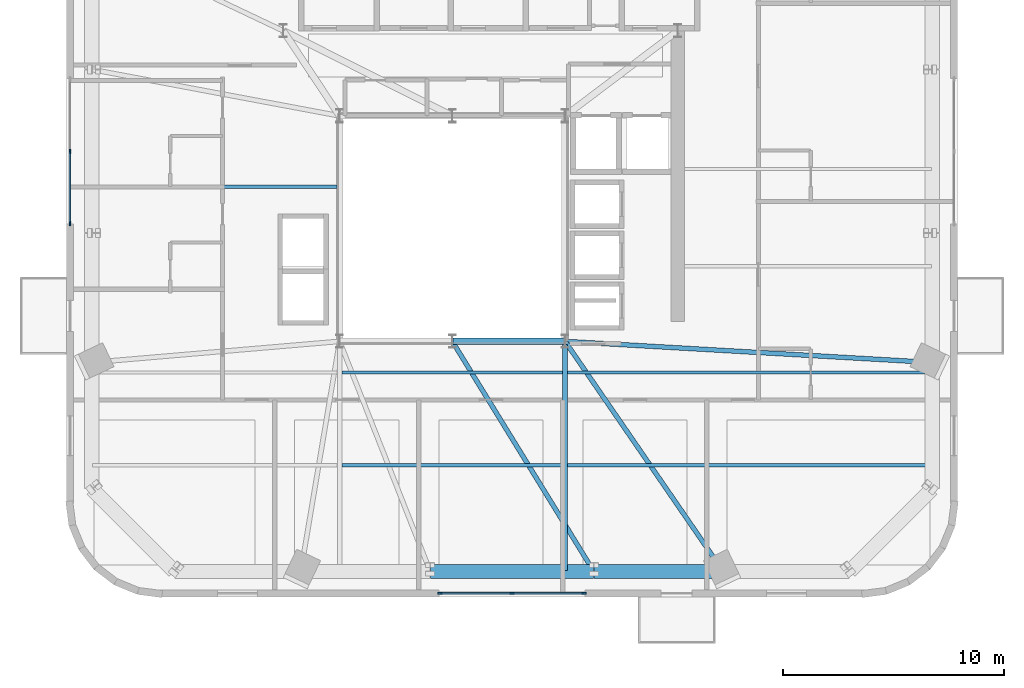
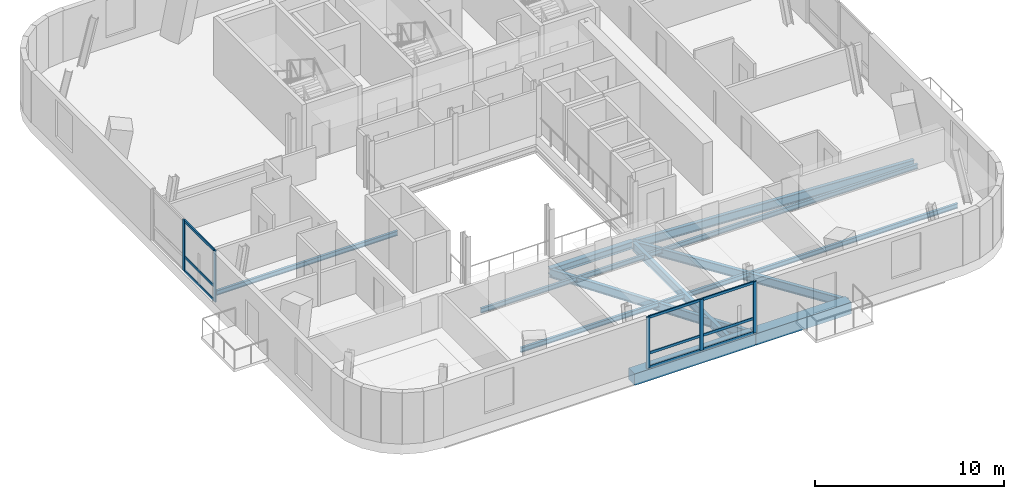
# One storey, part 2 of 13: 14 members, 12 beams, 2 elements without a shape of their own.
"""IFC4 building model written with IfcOpenShell, lengths in metres."""

from ifc_helpers import new_model, si_unit, direction, frame, origin, origin_2d, place, context, subcontext, project, spatial, rectangle, i_section, extrude, source, transform, mapped, material, material_profile, profile_set, type_object, element, aggregate, save


model = new_model("IFC4")

# Units and contexts
model_context = context("Model", 3, precision=1e-05, world=origin(), true_north=direction((0.0, 1.0)))
body_context = subcontext(model_context, "Body", "Model", "MODEL_VIEW")
ifc_project = project(units=[si_unit("LENGTHUNIT", "METRE"), si_unit("AREAUNIT", "SQUARE_METRE"), si_unit("VOLUMEUNIT", "CUBIC_METRE"), si_unit("PLANEANGLEUNIT", "RADIAN"), si_unit("MASSUNIT", "GRAM", prefix="KILO")], contexts=[model_context])

# Site, building, storey
site_placement = place(None, origin())
site = spatial("IfcSite", under=ifc_project, at=site_placement, CompositionType="ELEMENT")
building_placement = place(site_placement, origin())
building = spatial("IfcBuilding", under=site, at=building_placement, Name="Vardaveli Station Tower", CompositionType="ELEMENT")
storey_placement = place(building_placement, frame((0.0, 0.0, 278.25)))
storey = spatial("IfcBuildingStorey", under=building, at=storey_placement, Name="L71", CompositionType="ELEMENT", Elevation=278.25)

# Beams
ifc_material_1 = material(Name="Structural steel S355J2", Category="steel")
ifc_material_profile_1 = material_profile(ifc_material_1, i_section(OverallWidth=0.300048828125, OverallDepth=0.449951171875, WebThickness=0.013916015625, FlangeThickness=0.02587890625, FilletRadius=0.027099609375, at=origin_2d()), Name="HEB 450")
ifc_profile_set_1 = profile_set([ifc_material_profile_1], Name="Structural steel S355J2")
beam_type_1 = type_object("IfcBeamType", Name="BM-HEB450", PredefinedType="BEAM", material=ifc_profile_set_1)
shared_shape_1 = source(origin(), body_context, "Body", "SweptSolid", [
    extrude(i_section(OverallWidth=0.300048828125, OverallDepth=0.449951171875, WebThickness=0.013916015625, FlangeThickness=0.02587890625, FilletRadius=0.027099609375, at=origin_2d()), origin(), (0.0, 0.0, 1.0), 5.059814453125),
])
beam_1_placement = place(storey_placement, frame((36.320068359375, 16.60009765625, -0.875), z_axis=(1.0, 0.0, 0.0), x_axis=(0.0, 1.0, 0.0)))
element("IfcBeam", 1, at=beam_1_placement, inside=storey, type_object=beam_type_1, Name="ABM-L71-02", PredefinedType="BEAM", context=body_context, shape_type="MappedRepresentation", body=[
    mapped(shared_shape_1, transform((0.0, 0.0, 0.0), scale=1.0)),
])
ifc_material_2 = material(Name="Precast concrete C45/55", Category="concrete")
ifc_material_profile_2 = material_profile(ifc_material_2, rectangle(XDim=0.64990234375, YDim=0.75, at=origin_2d()), Name="LPB 650x750")
ifc_profile_set_2 = profile_set([ifc_material_profile_2], Name="Precast concrete C45/55")
beam_type_2 = type_object("IfcBeamType", Name="BM-LPB-750", PredefinedType="BEAM", material=ifc_profile_set_2)
shared_shape_2 = source(origin(), body_context, "Body", "SweptSolid", [
    extrude(rectangle(XDim=0.64990234375, YDim=0.75, at=origin_2d()), origin(), (0.0, 0.0, 1.0), 7.35986328125),
])
beam_2_placement = place(storey_placement, frame((35.320068359375, 6.18994140625, -1.02490234375), z_axis=(1.0, 0.0, 0.0), x_axis=(0.0, 1.0, 0.0)))
element("IfcBeam", 2, at=beam_2_placement, inside=storey, type_object=beam_type_2, Name="RBM-L71-02", PredefinedType="BEAM", context=body_context, shape_type="MappedRepresentation", body=[
    mapped(shared_shape_2, transform((0.0, 0.0, 0.0), scale=1.0)),
])
ifc_material_profile_3 = material_profile(ifc_material_1, i_section(OverallWidth=0.14990234375, OverallDepth=0.300048828125, WebThickness=0.007080078125, FlangeThickness=0.0107421875, FilletRadius=0.014892578125, at=origin_2d()), Name="IPE 300")
ifc_profile_set_3 = profile_set([ifc_material_profile_3], Name="Structural steel S355J2")
beam_type_3 = type_object("IfcBeamType", Name="BM-IPE300", PredefinedType="JOIST", material=ifc_profile_set_3)
shared_shape_3 = source(origin(), body_context, "Body", "SweptSolid", [
    extrude(i_section(OverallWidth=0.14990234375, OverallDepth=0.300048828125, WebThickness=0.007080078125, FlangeThickness=0.0107421875, FilletRadius=0.014892578125, at=origin_2d()), origin(), (0.0, 0.0, 1.0), 9.97607421875),
])
for number, where, z_axis, x_axis, name in (
    (3, (31.31201171875, 10.989990234375, -0.800048828125), (1.0, 0.0, 0.0), (0.0, 1.0, 0.0), "SJ-L71-S02"),
    (4, (31.31201171875, 15.18994140625, -0.800048828125), (1.0, 0.0, 0.0), (0.0, 1.0, 0.0), "SJ-L71-S05"),
):
    element("IfcBeam", number, at=place(storey_placement, frame(where, z_axis=z_axis, x_axis=x_axis)), inside=storey, type_object=beam_type_3, Name=name, PredefinedType="JOIST", context=body_context, shape_type="MappedRepresentation", body=[
        mapped(shared_shape_3, transform((0.0, 0.0, 0.0), scale=1.0)),
    ])
shared_shape_4 = source(origin(), body_context, "Body", "SweptSolid", [
    extrude(rectangle(XDim=0.64990234375, YDim=0.75, at=origin_2d()), origin(), (0.0, 0.0, 1.0), 5.815673828125),
])
beam_3_placement = place(storey_placement, frame((42.719970703125, 6.18994140625, -1.02490234375), z_axis=(1.0, 0.0, 0.0), x_axis=(0.0, 1.0, 0.0)))
element("IfcBeam", 5, at=beam_3_placement, inside=storey, type_object=beam_type_2, Name="RBM-L71-03", PredefinedType="BEAM", context=body_context, shape_type="MappedRepresentation", body=[
    mapped(shared_shape_4, transform((0.0, 0.0, 0.0), scale=1.0)),
])
ifc_material_profile_4 = material_profile(ifc_material_1, i_section(OverallWidth=0.2099609375, OverallDepth=0.550048828125, WebThickness=0.010986328125, FlangeThickness=0.01708984375, FilletRadius=0.02392578125, at=origin_2d()), Name="IPE 550")
ifc_profile_set_4 = profile_set([ifc_material_profile_4], Name="Structural steel S355J2")
beam_type_4 = type_object("IfcBeamType", Name="BM-IPE550", PredefinedType="BEAM", material=ifc_profile_set_4)
shared_shape_5 = source(origin(), body_context, "Body", "SweptSolid", [
    extrude(i_section(OverallWidth=0.2099609375, OverallDepth=0.550048828125, WebThickness=0.010986328125, FlangeThickness=0.01708984375, FilletRadius=0.02392578125, at=origin_2d()), origin(), (0.0, 0.0, 1.0), 12.179931640625),
])
beam_4_placement = place(storey_placement, frame((42.689453125, 6.20703125, -0.925048828125), z_axis=(-0.523721605578, 0.851889476312, 0.0), x_axis=(-0.851889476312, -0.523721605578, 0.0)))
element("IfcBeam", 6, at=beam_4_placement, inside=storey, type_object=beam_type_4, Name="GBM-L71-03", PredefinedType="BEAM", context=body_context, shape_type="MappedRepresentation", body=[
    mapped(shared_shape_5, transform((0.0, 0.0, 0.0), scale=1.0)),
])
shared_shape_6 = source(origin(), body_context, "Body", "SweptSolid", [
    extrude(i_section(OverallWidth=0.2099609375, OverallDepth=0.550048828125, WebThickness=0.010986328125, FlangeThickness=0.01708984375, FilletRadius=0.02392578125, at=origin_2d()), origin(), (0.0, 0.0, 1.0), 12.592041015625),
])
beam_5_placement = place(storey_placement, frame((48.544189453125, 6.20654296875, -0.925048828125), z_axis=(-0.566456409283, 0.824091703867, 0.0), x_axis=(-0.824091703867, -0.566456409283, 0.0)))
element("IfcBeam", 7, at=beam_5_placement, inside=storey, type_object=beam_type_4, Name="GBM-L71-04", PredefinedType="BEAM", context=body_context, shape_type="MappedRepresentation", body=[
    mapped(shared_shape_6, transform((0.0, 0.0, 0.0), scale=1.0)),
])
shared_shape_7 = source(origin(), body_context, "Body", "SweptSolid", [
    extrude(i_section(OverallWidth=0.2099609375, OverallDepth=0.550048828125, WebThickness=0.010986328125, FlangeThickness=0.01708984375, FilletRadius=0.02392578125, at=origin_2d()), origin(), (0.0, 0.0, 1.0), 16.597412109375),
])
beam_6_placement = place(storey_placement, frame((57.989990234375, 15.6455078125, -0.925048828125), z_axis=(-0.998348924367, 0.057440623383, 0.0), x_axis=(-0.057440623383, -0.998348924367, 0.0)))
element("IfcBeam", 8, at=beam_6_placement, inside=storey, type_object=beam_type_4, Name="GBM-L71-05", PredefinedType="BEAM", context=body_context, shape_type="MappedRepresentation", body=[
    mapped(shared_shape_7, transform((0.0, 0.0, 0.0), scale=1.0)),
])
shared_shape_8 = source(origin(), body_context, "Body", "SweptSolid", [
    extrude(i_section(OverallWidth=0.2099609375, OverallDepth=0.550048828125, WebThickness=0.010986328125, FlangeThickness=0.01708984375, FilletRadius=0.02392578125, at=origin_2d()), origin(), (0.0, 0.0, 1.0), 10.22998046875),
])
beam_7_placement = place(storey_placement, frame((41.39990234375, 6.22998046875, -0.925048828125), z_axis=(0.0, 1.0, 0.0), x_axis=(-1.0, 0.0, 0.0)))
element("IfcBeam", 9, at=beam_7_placement, inside=storey, type_object=beam_type_4, Name="NSM-L71-S2", PredefinedType="BEAM", context=body_context, shape_type="MappedRepresentation", body=[
    mapped(shared_shape_8, transform((0.0, 0.0, 0.0), scale=1.0)),
])
shared_shape_9 = source(origin(), body_context, "Body", "SweptSolid", [
    extrude(i_section(OverallWidth=0.14990234375, OverallDepth=0.300048828125, WebThickness=0.007080078125, FlangeThickness=0.0107421875, FilletRadius=0.014892578125, at=origin_2d()), origin(), (0.0, 0.0, 1.0), 11.057861328125),
])
beam_8_placement = place(storey_placement, frame((20.030029296875, 23.60009765625, -0.800048828125), z_axis=(1.0, 0.0, 0.0), x_axis=(0.0, 1.0, 0.0)))
element("IfcBeam", 10, at=beam_8_placement, inside=storey, type_object=beam_type_3, Name="SJ-L71-W08", PredefinedType="JOIST", context=body_context, shape_type="MappedRepresentation", body=[
    mapped(shared_shape_9, transform((0.0, 0.0, 0.0), scale=1.0)),
])
shared_shape_10 = source(origin(), body_context, "Body", "SweptSolid", [
    extrude(i_section(OverallWidth=0.14990234375, OverallDepth=0.300048828125, WebThickness=0.007080078125, FlangeThickness=0.0107421875, FilletRadius=0.014892578125, at=origin_2d()), origin(), (0.0, 0.0, 1.0), 16.4580078125),
])
for number, where, z_axis, x_axis, name in (
    (11, (41.511962890625, 10.989990234375, -0.800048828125), (1.0, 0.0, 0.0), (0.0, 1.0, 0.0), "SJ-L71-S03"),
    (12, (41.511962890625, 15.18994140625, -0.800048828125), (1.0, 0.0, 0.0), (0.0, 1.0, 0.0), "SJ-L71-S06"),
):
    element("IfcBeam", number, at=place(storey_placement, frame(where, z_axis=z_axis, x_axis=x_axis)), inside=storey, type_object=beam_type_3, Name=name, PredefinedType="JOIST", context=body_context, shape_type="MappedRepresentation", body=[
        mapped(shared_shape_10, transform((0.0, 0.0, 0.0), scale=1.0)),
    ])

# Curtain wall, members
ifc_material_3 = material(Name="Travertine stone and solar-control glass", Category="masonry")
curtain_wall_type = type_object("IfcCurtainWallType", Name="CW-SYS-5", PredefinedType="NOTDEFINED", material=ifc_material_3)
curtain_wall_1_placement = place(storey_placement, origin())
curtain_wall_1 = element("IfcCurtainWall", 13, at=curtain_wall_1_placement, inside=storey, type_object=curtain_wall_type, Name="CW-L71-S", PredefinedType="NOTDEFINED")
ifc_material_4 = material(Name="Anodised aluminium alloy 6063-T6", Category="aluminium")
ifc_material_profile_5 = material_profile(ifc_material_4, rectangle(XDim=0.080078125, YDim=0.1650390625, at=origin_2d()), Name="CWT 80x165")
ifc_profile_set_5 = profile_set([ifc_material_profile_5], Name="Anodised aluminium alloy 6063-T6")
member_type_1 = type_object("IfcMemberType", Name="CW-SYS-5-TRAN", PredefinedType="NOTDEFINED", material=ifc_profile_set_5)
shared_shape_11 = source(origin(), body_context, "Body", "SweptSolid", [
    extrude(rectangle(XDim=0.080078125, YDim=0.1650390625, at=origin_2d()), origin(), (0.0, 0.0, 1.0), 3.179931640625),
])
member_1_placement = place(storey_placement, frame((35.780029296875, 5.199951171875, 0.0400390625), z_axis=(1.0, 0.0, 0.0), x_axis=(0.0, 1.0, 0.0)))
member_1 = element("IfcMember", 14, at=member_1_placement, type_object=member_type_1, Name="CW-5 transom 1.1", ObjectType="TRANSOM", PredefinedType="USERDEFINED", context=body_context, shape_type="MappedRepresentation", body=[
    mapped(shared_shape_11, transform((0.0, 0.0, 0.0), scale=1.0)),
])
member_2_placement = place(storey_placement, frame((35.780029296875, 5.199951171875, 0.949951171875), z_axis=(1.0, 0.0, 0.0), x_axis=(0.0, 1.0, 0.0)))
member_2 = element("IfcMember", 15, at=member_2_placement, type_object=member_type_1, Name="CW-5 transom 1.2", ObjectType="TRANSOM", PredefinedType="USERDEFINED", context=body_context, shape_type="MappedRepresentation", body=[
    mapped(shared_shape_11, transform((0.0, 0.0, 0.0), scale=1.0)),
])
member_3_placement = place(storey_placement, frame((35.780029296875, 5.199951171875, 3.260009765625), z_axis=(1.0, 0.0, 0.0), x_axis=(0.0, 1.0, 0.0)))
member_3 = element("IfcMember", 16, at=member_3_placement, type_object=member_type_1, Name="CW-5 transom 1.3", ObjectType="TRANSOM", PredefinedType="USERDEFINED", context=body_context, shape_type="MappedRepresentation", body=[
    mapped(shared_shape_11, transform((0.0, 0.0, 0.0), scale=1.0)),
])
member_4_placement = place(storey_placement, frame((39.0400390625, 5.199951171875, 0.0400390625), z_axis=(1.0, 0.0, 0.0), x_axis=(0.0, 1.0, 0.0)))
member_4 = element("IfcMember", 17, at=member_4_placement, type_object=member_type_1, Name="CW-5 transom 2.1", ObjectType="TRANSOM", PredefinedType="USERDEFINED", context=body_context, shape_type="MappedRepresentation", body=[
    mapped(shared_shape_11, transform((0.0, 0.0, 0.0), scale=1.0)),
])
member_5_placement = place(storey_placement, frame((39.0400390625, 5.199951171875, 0.949951171875), z_axis=(1.0, 0.0, 0.0), x_axis=(0.0, 1.0, 0.0)))
member_5 = element("IfcMember", 18, at=member_5_placement, type_object=member_type_1, Name="CW-5 transom 2.2", ObjectType="TRANSOM", PredefinedType="USERDEFINED", context=body_context, shape_type="MappedRepresentation", body=[
    mapped(shared_shape_11, transform((0.0, 0.0, 0.0), scale=1.0)),
])
member_6_placement = place(storey_placement, frame((39.0400390625, 5.199951171875, 3.260009765625), z_axis=(1.0, 0.0, 0.0), x_axis=(0.0, 1.0, 0.0)))
member_6 = element("IfcMember", 19, at=member_6_placement, type_object=member_type_1, Name="CW-5 transom 2.3", ObjectType="TRANSOM", PredefinedType="USERDEFINED", context=body_context, shape_type="MappedRepresentation", body=[
    mapped(shared_shape_11, transform((0.0, 0.0, 0.0), scale=1.0)),
])

curtain_wall_2_placement = place(storey_placement, origin())
curtain_wall_2 = element("IfcCurtainWall", 20, at=curtain_wall_2_placement, inside=storey, type_object=curtain_wall_type, Name="CW-L71-W", PredefinedType="NOTDEFINED")
member_7_placement = place(storey_placement, frame((19.0, 25.159912109375, 0.0400390625), z_axis=(0.0, -1.0, 0.0), x_axis=(1.0, 0.0, 0.0)))
member_7 = element("IfcMember", 21, at=member_7_placement, type_object=member_type_1, Name="CW-5 transom 2.1", ObjectType="TRANSOM", PredefinedType="USERDEFINED", context=body_context, shape_type="MappedRepresentation", body=[
    mapped(shared_shape_11, transform((0.0, 0.0, 0.0), scale=1.0)),
])
member_8_placement = place(storey_placement, frame((19.0, 25.159912109375, 0.949951171875), z_axis=(0.0, -1.0, 0.0), x_axis=(1.0, 0.0, 0.0)))
member_8 = element("IfcMember", 22, at=member_8_placement, type_object=member_type_1, Name="CW-5 transom 2.2", ObjectType="TRANSOM", PredefinedType="USERDEFINED", context=body_context, shape_type="MappedRepresentation", body=[
    mapped(shared_shape_11, transform((0.0, 0.0, 0.0), scale=1.0)),
])
member_9_placement = place(storey_placement, frame((19.0, 25.159912109375, 3.260009765625), z_axis=(0.0, -1.0, 0.0), x_axis=(1.0, 0.0, 0.0)))
member_9 = element("IfcMember", 23, at=member_9_placement, type_object=member_type_1, Name="CW-5 transom 2.3", ObjectType="TRANSOM", PredefinedType="USERDEFINED", context=body_context, shape_type="MappedRepresentation", body=[
    mapped(shared_shape_11, transform((0.0, 0.0, 0.0), scale=1.0)),
])

# Member
ifc_material_profile_6 = material_profile(ifc_material_4, rectangle(XDim=0.080078125, YDim=0.205078125, at=origin_2d()), Name="CWM 80x205")
ifc_profile_set_6 = profile_set([ifc_material_profile_6], Name="Anodised aluminium alloy 6063-T6")
member_type_2 = type_object("IfcMemberType", Name="CW-SYS-5-MULL", PredefinedType="MULLION", material=ifc_profile_set_6)
shared_shape_12 = source(origin(), body_context, "Body", "SweptSolid", [
    extrude(rectangle(XDim=0.080078125, YDim=0.205078125, at=origin_2d()), origin(), (0.0, 0.0, 1.0), 3.300048828125),
])
member_10_placement = place(storey_placement, frame((35.739990234375, 5.199951171875, 0.0), z_axis=(0.0, 0.0, 1.0), x_axis=(0.0, 1.0, 0.0)))
member_10 = element("IfcMember", 24, at=member_10_placement, type_object=member_type_2, Name="CW-5 mullion 1", PredefinedType="MULLION", context=body_context, shape_type="MappedRepresentation", body=[
    mapped(shared_shape_12, transform((0.0, 0.0, 0.0), scale=1.0)),
])

member_11_placement = place(storey_placement, frame((39.0, 5.199951171875, 0.0), z_axis=(0.0, 0.0, 1.0), x_axis=(0.0, 1.0, 0.0)))
member_11 = element("IfcMember", 25, at=member_11_placement, type_object=member_type_2, Name="CW-5 mullion 2", PredefinedType="MULLION", context=body_context, shape_type="MappedRepresentation", body=[
    mapped(shared_shape_12, transform((0.0, 0.0, 0.0), scale=1.0)),
])

member_12_placement = place(storey_placement, frame((42.260009765625, 5.199951171875, 0.0), z_axis=(0.0, 0.0, 1.0), x_axis=(0.0, 1.0, 0.0)))
member_12 = element("IfcMember", 26, at=member_12_placement, type_object=member_type_2, Name="CW-5 mullion 3", PredefinedType="MULLION", context=body_context, shape_type="MappedRepresentation", body=[
    mapped(shared_shape_12, transform((0.0, 0.0, 0.0), scale=1.0)),
])

aggregate(curtain_wall_1, [member_10, member_11, member_12, member_1, member_2, member_3, member_4, member_5, member_6])

member_13_placement = place(storey_placement, frame((19.0, 25.199951171875, 0.0), z_axis=(0.0, 0.0, 1.0), x_axis=(1.0, 0.0, 0.0)))
member_13 = element("IfcMember", 27, at=member_13_placement, type_object=member_type_2, Name="CW-5 mullion 2", PredefinedType="MULLION", context=body_context, shape_type="MappedRepresentation", body=[
    mapped(shared_shape_12, transform((0.0, 0.0, 0.0), scale=1.0)),
])

member_14_placement = place(storey_placement, frame((19.0, 21.93994140625, 0.0), z_axis=(0.0, 0.0, 1.0), x_axis=(1.0, 0.0, 0.0)))
member_14 = element("IfcMember", 28, at=member_14_placement, type_object=member_type_2, Name="CW-5 mullion 3", PredefinedType="MULLION", context=body_context, shape_type="MappedRepresentation", body=[
    mapped(shared_shape_12, transform((0.0, 0.0, 0.0), scale=1.0)),
])

aggregate(curtain_wall_2, [member_13, member_14, member_7, member_8, member_9])

save(model, "model.ifc")
